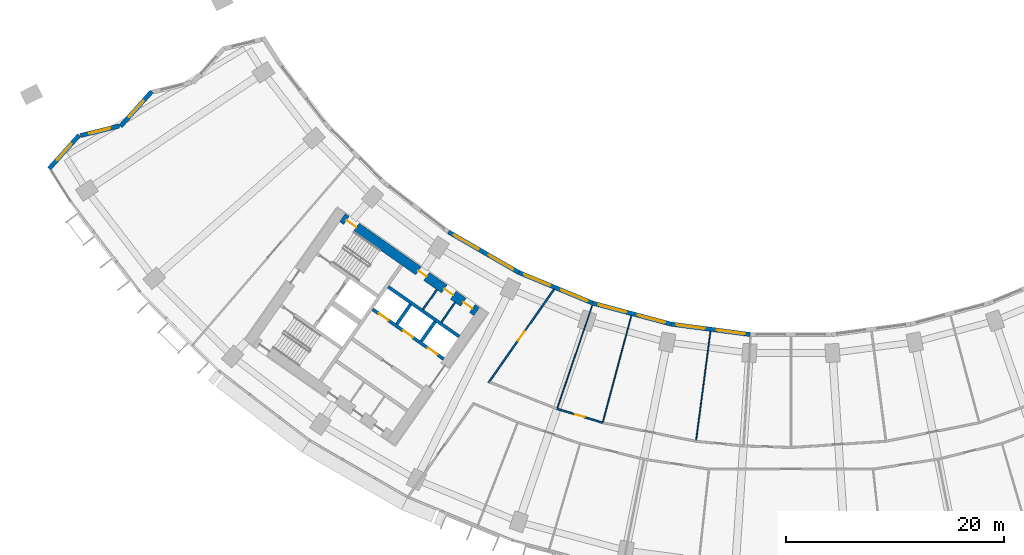
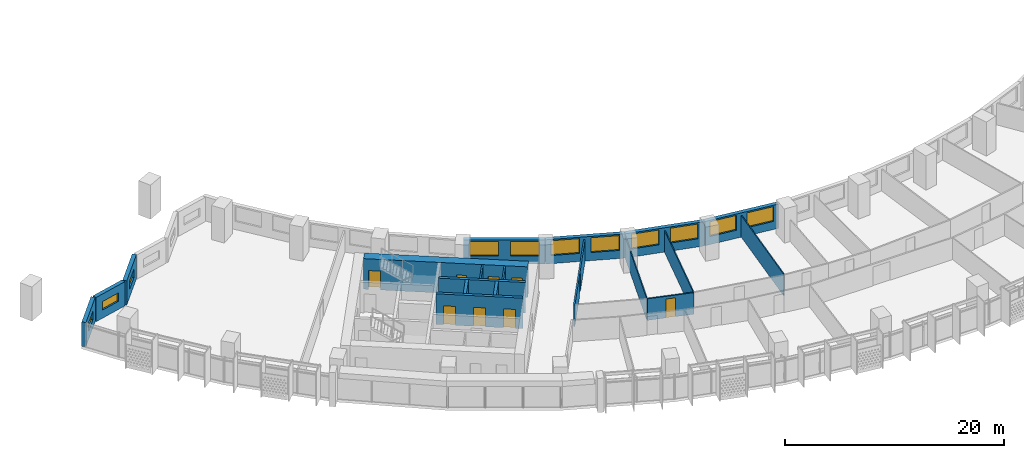
# One storey, part 4 of 31: 19 walls, 11 windows, 9 doors, 20 openings.
"""IFC4 building model written with IfcOpenShell, lengths in metres."""

from ifc_helpers import new_model, si_unit, direction, frame, frame_2d, origin, place, context, subcontext, project, spatial, rectangle, extrude, material, layer, layer_set, type_object, element, fill, save


model = new_model("IFC4")

# Units and contexts
model_context = context("Model", 3, precision=1e-05, world=origin(), true_north=direction((0.0, 1.0)))
body_context = subcontext(model_context, "Body", "Model", "MODEL_VIEW")
ifc_project = project(units=[si_unit("LENGTHUNIT", "METRE"), si_unit("AREAUNIT", "SQUARE_METRE"), si_unit("VOLUMEUNIT", "CUBIC_METRE"), si_unit("PLANEANGLEUNIT", "RADIAN"), si_unit("MASSUNIT", "GRAM", prefix="KILO")], contexts=[model_context])

# Site, building, storey
site_placement = place(None, origin())
site = spatial("IfcSite", under=ifc_project, at=site_placement, CompositionType="ELEMENT")
building_placement = place(site_placement, origin())
building = spatial("IfcBuilding", under=site, at=building_placement, Name="Qamariyya Broadcast Tower", CompositionType="ELEMENT")
storey_placement = place(building_placement, frame((0.0, 0.0, 86.10009765625)))
storey = spatial("IfcBuildingStorey", under=building, at=storey_placement, Name="L18", CompositionType="ELEMENT", Elevation=86.10009765625)

# Wall, openings, doors
ifc_material_1 = material(Name="Concrete C70/85", Category="concrete")
ifc_layer_1 = layer(ifc_material_1, 0.89990234375)
ifc_layer_set_1 = layer_set([ifc_layer_1], Name="Core wall 900 mm Concrete C70/85")
wall_type_1 = type_object("IfcWallType", Name="Core wall 900 mm Concrete C70/85", PredefinedType="SHEAR", material=ifc_layer_set_1)
wall_1_placement = place(storey_placement, frame((-28.8544921875, -54.32421875, 0.0), z_axis=(0.0, 0.0, 1.0), x_axis=(-0.819145767589, 0.573585400304, 0.0)))
wall_1 = element("IfcWall", 1, at=wall_1_placement, inside=storey, type_object=wall_type_1, Name="k-W-L18-WI", PredefinedType="SHEAR", context=body_context, shape_type="SweptSolid", body=[
    extrude(rectangle(XDim=15.04541015625, YDim=0.89990234375, at=frame_2d((7.522705078125, 0.0))), origin(), (0.0, 0.0, 1.0), 3.39990234375),
])
opening_1_placement = place(wall_1_placement, frame((0.5, 0.0, 0.0)))
opening_1 = element("IfcOpeningElement", 2, at=opening_1_placement, cuts=wall_1, Name="Opening KD6-W2", PredefinedType="OPENING", context=body_context, shape_type="SweptSolid", body=[
    extrude(rectangle(XDim=1.0, YDim=2.10009765625, at=frame_2d((0.5, 1.050048828125))), frame((0.0, 0.4599609375, 0.0), z_axis=(0.0, -1.0, 0.0), x_axis=(1.0, 0.0, 0.0)), (0.0, 0.0, 1.0), 0.919921875),
])
opening_2_placement = place(wall_1_placement, frame((2.625, 0.0, 0.0)))
opening_2 = element("IfcOpeningElement", 3, at=opening_2_placement, cuts=wall_1, Name="Opening KD7-W1", PredefinedType="OPENING", context=body_context, shape_type="SweptSolid", body=[
    extrude(rectangle(XDim=1.0, YDim=2.10009765625, at=frame_2d((0.5, 1.050048828125))), frame((0.0, 0.4599609375, 0.0), z_axis=(0.0, -1.0, 0.0), x_axis=(1.0, 0.0, 0.0)), (0.0, 0.0, 1.0), 0.919921875),
])
opening_3_placement = place(wall_1_placement, frame((5.625, 0.0, 0.0)))
opening_3 = element("IfcOpeningElement", 4, at=opening_3_placement, cuts=wall_1, Name="Opening KD5-W1", PredefinedType="OPENING", context=body_context, shape_type="SweptSolid", body=[
    extrude(rectangle(XDim=0.89990234375, YDim=2.10009765625, at=frame_2d((0.449951171875, 1.050048828125))), frame((0.0, 0.4599609375, 0.0), z_axis=(0.0, -1.0, 0.0), x_axis=(1.0, 0.0, 0.0)), (0.0, 0.0, 1.0), 0.919921875),
])
opening_4_placement = place(wall_1_placement, frame((13.495361328125, 0.0, 0.0)))
opening_4 = element("IfcOpeningElement", 5, at=opening_4_placement, cuts=wall_1, Name="Opening KD1-W1", PredefinedType="OPENING", context=body_context, shape_type="SweptSolid", body=[
    extrude(rectangle(XDim=1.10009765625, YDim=2.10009765625, at=frame_2d((0.550048828125, 1.050048828125))), frame((0.0, 0.4599609375, 0.0), z_axis=(0.0, -1.0, 0.0), x_axis=(1.0, 0.0, 0.0)), (0.0, 0.0, 1.0), 0.919921875),
])
ifc_material_2 = material(Name="Steel fire-resisting door leaf", Category="steel")
door_type_1 = type_object("IfcDoorType", Name="Accessible toilet door KD7", OperationType="SINGLE_SWING_LEFT", PredefinedType="DOOR", material=ifc_material_2)
door_1_placement = place(opening_2_placement, origin())
door_1 = element("IfcDoor", 6, at=door_1_placement, inside=storey, type_object=door_type_1, Name="k-W-L18-WI-D7", OperationType="SINGLE_SWING_RIGHT", OverallHeight=2.10009765625, OverallWidth=1.0, PredefinedType="DOOR", context=body_context, shape_type="SweptSolid", body=[
    extrude(rectangle(XDim=1.0, YDim=2.10009765625, at=frame_2d((0.5, 1.050048828125))), frame((0.0, 0.02490234375, 0.0), z_axis=(0.0, -1.0, 0.0), x_axis=(1.0, 0.0, 0.0)), (0.0, 0.0, 1.0), 0.050048828125),
])
fill(opening_2, door_1)
door_type_2 = type_object("IfcDoorType", Name="Core room door KD6", OperationType="SINGLE_SWING_LEFT", PredefinedType="DOOR", material=ifc_material_2)
door_2_placement = place(opening_1_placement, origin())
door_2 = element("IfcDoor", 7, at=door_2_placement, inside=storey, type_object=door_type_2, Name="k-W-L18-WI-D6", OperationType="SINGLE_SWING_LEFT", OverallHeight=2.10009765625, OverallWidth=1.0, PredefinedType="DOOR", context=body_context, shape_type="SweptSolid", body=[
    extrude(rectangle(XDim=1.0, YDim=2.10009765625, at=frame_2d((0.5, 1.050048828125))), frame((0.0, 0.02490234375, 0.0), z_axis=(0.0, -1.0, 0.0), x_axis=(1.0, 0.0, 0.0)), (0.0, 0.0, 1.0), 0.050048828125),
])
fill(opening_1, door_2)
door_type_3 = type_object("IfcDoorType", Name="Stair door KD1", OperationType="SINGLE_SWING_LEFT", PredefinedType="DOOR", material=ifc_material_2)
door_3_placement = place(opening_4_placement, origin())
door_3 = element("IfcDoor", 8, at=door_3_placement, inside=storey, type_object=door_type_3, Name="k-W-L18-WI-D15", OperationType="SINGLE_SWING_RIGHT", OverallHeight=2.10009765625, OverallWidth=1.10009765625, PredefinedType="DOOR", context=body_context, shape_type="SweptSolid", body=[
    extrude(rectangle(XDim=1.10009765625, YDim=2.10009765625, at=frame_2d((0.550048828125, 1.050048828125))), frame((0.0, 0.02490234375, 0.0), z_axis=(0.0, -1.0, 0.0), x_axis=(1.0, 0.0, 0.0)), (0.0, 0.0, 1.0), 0.050048828125),
])
fill(opening_4, door_3)
door_type_4 = type_object("IfcDoorType", Name="Toilet door KD5", OperationType="SINGLE_SWING_LEFT", PredefinedType="DOOR", material=ifc_material_2)
door_4_placement = place(opening_3_placement, origin())
door_4 = element("IfcDoor", 9, at=door_4_placement, inside=storey, type_object=door_type_4, Name="k-W-L18-WI-D8", OperationType="SINGLE_SWING_LEFT", OverallHeight=2.10009765625, OverallWidth=0.89990234375, PredefinedType="DOOR", context=body_context, shape_type="SweptSolid", body=[
    extrude(rectangle(XDim=0.89990234375, YDim=2.10009765625, at=frame_2d((0.449951171875, 1.050048828125))), frame((0.0, 0.02490234375, 0.0), z_axis=(0.0, -1.0, 0.0), x_axis=(1.0, 0.0, 0.0)), (0.0, 0.0, 1.0), 0.050048828125),
])
fill(opening_3, door_4)

# Wall, opening, door
ifc_material_3 = material(Name="Gypsum board partition")
ifc_layer_2 = layer(ifc_material_3, 0.14990234375)
ifc_layer_set_2 = layer_set([ifc_layer_2], Name="Corridor partition 150 EI 60")
wall_type_2 = type_object("IfcWallType", Name="Corridor partition 150 EI 60", PredefinedType="PARTITIONING", material=ifc_layer_set_2)
wall_2_placement = place(storey_placement, frame((-21.748291015625, -52.2763671875, 0.0), z_axis=(0.0, 0.0, 1.0), x_axis=(-0.575419434668, -0.817858468322, 0.0)))
wall_2 = element("IfcWall", 10, at=wall_2_placement, inside=storey, type_object=wall_type_2, Name="Partition L18-008", PredefinedType="PARTITIONING", context=body_context, shape_type="SweptSolid", body=[
    extrude(rectangle(XDim=10.46484375, YDim=0.14990234375, at=frame_2d((5.232421875, 0.0))), origin(), (0.0, 0.0, 1.0), 2.39990234375),
])
opening_5_placement = place(wall_2_placement, frame((4.732421875, 0.0, 0.0)))
opening_5 = element("IfcOpeningElement", 11, at=opening_5_placement, cuts=wall_2, Name="Opening L18-D09", PredefinedType="OPENING", context=body_context, shape_type="SweptSolid", body=[
    extrude(rectangle(XDim=1.0, YDim=2.10009765625, at=frame_2d((0.5, 1.050048828125))), frame((0.0, 0.0849609375, 0.0), z_axis=(0.0, -1.0, 0.0), x_axis=(1.0, 0.0, 0.0)), (0.0, 0.0, 1.0), 0.169921875),
])
ifc_material_4 = material(Name="Timber fire door leaf", Category="wood")
door_type_5 = type_object("IfcDoorType", Name="Fire door 1000 x 2100 FD60", OperationType="NOTDEFINED", PredefinedType="DOOR", material=ifc_material_4)
door_5_placement = place(opening_5_placement, origin())
door_5 = element("IfcDoor", 12, at=door_5_placement, inside=storey, type_object=door_type_5, Name="Door L18-D09", OperationType="SINGLE_SWING_RIGHT", OverallHeight=2.10009765625, OverallWidth=1.0, PredefinedType="DOOR", context=body_context, shape_type="SweptSolid", body=[
    extrude(rectangle(XDim=1.0, YDim=2.10009765625, at=frame_2d((0.5, 1.050048828125))), frame((0.0, 0.02490234375, 0.0), z_axis=(0.0, -1.0, 0.0), x_axis=(1.0, 0.0, 0.0)), (0.0, 0.0, 1.0), 0.050048828125),
])
fill(opening_5, door_5)

wall_3_placement = place(storey_placement, frame((-21.47216796875, -63.2548828125, 0.0), z_axis=(0.0, 0.0, 1.0), x_axis=(0.956933231095, -0.290308097072, 0.0)))
wall_3 = element("IfcWall", 13, at=wall_3_placement, inside=storey, type_object=wall_type_2, Name="Partition L18-009", PredefinedType="PARTITIONING", context=body_context, shape_type="SweptSolid", body=[
    extrude(rectangle(XDim=4.371337890625, YDim=0.14990234375, at=frame_2d((2.185546875, 0.0))), origin(), (0.0, 0.0, 1.0), 2.39990234375),
])
opening_6_placement = place(wall_3_placement, frame((1.735595703125, 0.0, 0.0)))
opening_6 = element("IfcOpeningElement", 14, at=opening_6_placement, cuts=wall_3, Name="Opening L18-D10", PredefinedType="OPENING", context=body_context, shape_type="SweptSolid", body=[
    extrude(rectangle(XDim=0.89990234375, YDim=2.10009765625, at=frame_2d((0.449951171875, 1.050048828125))), frame((0.0, 0.0849609375, 0.0), z_axis=(0.0, -1.0, 0.0), x_axis=(1.0, 0.0, 0.0)), (0.0, 0.0, 1.0), 0.169921875),
])
door_type_6 = type_object("IfcDoorType", Name="Fire door 900 x 2100 FD60", OperationType="NOTDEFINED", PredefinedType="DOOR", material=ifc_material_4)
door_6_placement = place(opening_6_placement, origin())
door_6 = element("IfcDoor", 15, at=door_6_placement, inside=storey, type_object=door_type_6, Name="Door L18-D10", OperationType="SINGLE_SWING_RIGHT", OverallHeight=2.10009765625, OverallWidth=0.89990234375, PredefinedType="DOOR", context=body_context, shape_type="SweptSolid", body=[
    extrude(rectangle(XDim=0.89990234375, YDim=2.10009765625, at=frame_2d((0.449951171875, 1.050048828125))), frame((0.0, 0.02490234375, 0.0), z_axis=(0.0, -1.0, 0.0), x_axis=(1.0, 0.0, 0.0)), (0.0, 0.0, 1.0), 0.050048828125),
])
fill(opening_6, door_6)

# Walls
ifc_material_5 = material(Name="Gypsum board partition on steel studs", Category="steel")
ifc_layer_3 = layer(ifc_material_5, 0.14990234375)
ifc_layer_set_3 = layer_set([ifc_layer_3], Name="Gypsum board partition 150 mm")
wall_type_3 = type_object("IfcWallType", Name="Gypsum board partition 150 mm", PredefinedType="PARTITIONING", material=ifc_layer_set_3)
wall_4_placement = place(storey_placement, frame((-32.0947265625, -55.290283203125, 0.0), z_axis=(0.0, 0.0, 1.0), x_axis=(0.573559170999, 0.819164133348, 0.0)))
element("IfcWall", 16, at=wall_4_placement, inside=storey, type_object=wall_type_3, Name="k-W-L18-NP210", PredefinedType="PARTITIONING", context=body_context, shape_type="SweptSolid", body=[
    extrude(rectangle(XDim=2.19970703125, YDim=0.14990234375, at=frame_2d((1.099853515625, 0.0))), origin(), (0.0, 0.0, 1.0), 3.39990234375),
])
wall_5_placement = place(storey_placement, frame((-33.774169921875, -54.114501953125, 0.0), z_axis=(0.0, 0.0, 1.0), x_axis=(0.573581496053, 0.819148501424, 0.0)))
element("IfcWall", 17, at=wall_5_placement, inside=storey, type_object=wall_type_3, Name="k-W-L18-NP415", PredefinedType="PARTITIONING", context=body_context, shape_type="SweptSolid", body=[
    extrude(rectangle(XDim=2.2001953125, YDim=0.14990234375, at=frame_2d((1.10009765625, 0.0))), origin(), (0.0, 0.0, 1.0), 3.39990234375),
])

# Wall, openings, doors
ifc_material_6 = material(Name="Concrete C60/75", Category="concrete")
ifc_layer_4 = layer(ifc_material_6, 0.300048828125)
ifc_layer_set_4 = layer_set([ifc_layer_4], Name="Lift shaft wall 300 mm Concrete C60/75")
wall_type_4 = type_object("IfcWallType", Name="Lift shaft wall 300 mm Concrete C60/75", PredefinedType="SOLIDWALL", material=ifc_layer_set_4)
wall_6_placement = place(storey_placement, frame((-31.89453125, -58.66552734375, 0.0), z_axis=(0.0, 0.0, 1.0), x_axis=(-0.819166993208, 0.573555086491, 0.0)))
wall_6 = element("IfcWall", 18, at=wall_6_placement, inside=storey, type_object=wall_type_4, Name="k-W-L18-NF0", PredefinedType="SOLIDWALL", context=body_context, shape_type="SweptSolid", body=[
    extrude(rectangle(XDim=7.9501953125, YDim=0.300048828125, at=frame_2d((3.97509765625, 0.0))), origin(), (0.0, 0.0, 1.0), 3.39990234375),
])
opening_7_placement = place(wall_6_placement, frame((0.675048828125, 0.0, 0.0)))
opening_7 = element("IfcOpeningElement", 19, at=opening_7_placement, cuts=wall_6, Name="Opening LD", PredefinedType="OPENING", context=body_context, shape_type="SweptSolid", body=[
    extrude(rectangle(XDim=1.10009765625, YDim=2.10009765625, at=frame_2d((0.550048828125, 1.050048828125))), frame((0.0, 0.159912109375, 0.0), z_axis=(0.0, -1.0, 0.0), x_axis=(1.0, 0.0, 0.0)), (0.0, 0.0, 1.0), 0.320068359375),
])
opening_8_placement = place(wall_6_placement, frame((3.425048828125, 0.0, 0.0)))
opening_8 = element("IfcOpeningElement", 20, at=opening_8_placement, cuts=wall_6, Name="Opening LD", PredefinedType="OPENING", context=body_context, shape_type="SweptSolid", body=[
    extrude(rectangle(XDim=1.10009765625, YDim=2.10009765625, at=frame_2d((0.550048828125, 1.050048828125))), frame((0.0, 0.159912109375, 0.0), z_axis=(0.0, -1.0, 0.0), x_axis=(1.0, 0.0, 0.0)), (0.0, 0.0, 1.0), 0.320068359375),
])
opening_9_placement = place(wall_6_placement, frame((6.175048828125, 0.0, 0.0)))
opening_9 = element("IfcOpeningElement", 21, at=opening_9_placement, cuts=wall_6, Name="Opening LD", PredefinedType="OPENING", context=body_context, shape_type="SweptSolid", body=[
    extrude(rectangle(XDim=1.10009765625, YDim=2.10009765625, at=frame_2d((0.550048828125, 1.050048828125))), frame((0.0, 0.159912109375, 0.0), z_axis=(0.0, -1.0, 0.0), x_axis=(1.0, 0.0, 0.0)), (0.0, 0.0, 1.0), 0.320068359375),
])
door_type_7 = type_object("IfcDoorType", Name="Lift landing door LD", OperationType="DOUBLE_DOOR_SLIDING", PredefinedType="DOOR", material=ifc_material_2)
door_7_placement = place(opening_7_placement, origin())
door_7 = element("IfcDoor", 22, at=door_7_placement, inside=storey, type_object=door_type_7, Name="k-W-L18-NF0-D2", OperationType="DOUBLE_DOOR_SLIDING", OverallHeight=2.10009765625, OverallWidth=1.10009765625, PredefinedType="DOOR", context=body_context, shape_type="SweptSolid", body=[
    extrude(rectangle(XDim=1.10009765625, YDim=2.10009765625, at=frame_2d((0.550048828125, 1.050048828125))), frame((0.0, 0.02490234375, 0.0), z_axis=(0.0, -1.0, 0.0), x_axis=(1.0, 0.0, 0.0)), (0.0, 0.0, 1.0), 0.050048828125),
])
fill(opening_7, door_7)
door_8_placement = place(opening_8_placement, origin())
door_8 = element("IfcDoor", 23, at=door_8_placement, inside=storey, type_object=door_type_7, Name="k-W-L18-NF0-D3", OperationType="DOUBLE_DOOR_SLIDING", OverallHeight=2.10009765625, OverallWidth=1.10009765625, PredefinedType="DOOR", context=body_context, shape_type="SweptSolid", body=[
    extrude(rectangle(XDim=1.10009765625, YDim=2.10009765625, at=frame_2d((0.550048828125, 1.050048828125))), frame((0.0, 0.02490234375, 0.0), z_axis=(0.0, -1.0, 0.0), x_axis=(1.0, 0.0, 0.0)), (0.0, 0.0, 1.0), 0.050048828125),
])
fill(opening_8, door_8)
door_9_placement = place(opening_9_placement, origin())
door_9 = element("IfcDoor", 24, at=door_9_placement, inside=storey, type_object=door_type_7, Name="k-W-L18-NF0-D4", OperationType="DOUBLE_DOOR_SLIDING", OverallHeight=2.10009765625, OverallWidth=1.10009765625, PredefinedType="DOOR", context=body_context, shape_type="SweptSolid", body=[
    extrude(rectangle(XDim=1.10009765625, YDim=2.10009765625, at=frame_2d((0.550048828125, 1.050048828125))), frame((0.0, 0.02490234375, 0.0), z_axis=(0.0, -1.0, 0.0), x_axis=(1.0, 0.0, 0.0)), (0.0, 0.0, 1.0), 0.050048828125),
])
fill(opening_9, door_9)

# Walls
wall_7_placement = place(storey_placement, frame((-30.460693359375, -56.61767578125, 0.0), z_axis=(0.0, 0.0, 1.0), x_axis=(-0.819142461705, 0.573590121456, 0.0)))
element("IfcWall", 25, at=wall_7_placement, inside=storey, type_object=wall_type_4, Name="k-W-L18-NB0", PredefinedType="SOLIDWALL", context=body_context, shape_type="SweptSolid", body=[
    extrude(rectangle(XDim=7.949951171875, YDim=0.300048828125, at=frame_2d((3.97509765625, 0.0))), origin(), (0.0, 0.0, 1.0), 3.39990234375),
])
wall_8_placement = place(storey_placement, frame((-33.9384765625, -57.051513671875, 0.0), z_axis=(0.0, 0.0, 1.0), x_axis=(0.573581496053, 0.819148501424, 0.0)))
element("IfcWall", 26, at=wall_8_placement, inside=storey, type_object=wall_type_4, Name="k-W-L18-ND0", PredefinedType="SOLIDWALL", context=body_context, shape_type="SweptSolid", body=[
    extrude(rectangle(XDim=2.2001953125, YDim=0.300048828125, at=frame_2d((1.10009765625, 0.0))), origin(), (0.0, 0.0, 1.0), 3.39990234375),
])
wall_9_placement = place(storey_placement, frame((-36.19091796875, -55.47412109375, 0.0), z_axis=(0.0, 0.0, 1.0), x_axis=(0.573507030513, 0.819200638399, 0.0)))
element("IfcWall", 27, at=wall_9_placement, inside=storey, type_object=wall_type_4, Name="k-W-L18-ND1", PredefinedType="SOLIDWALL", context=body_context, shape_type="SweptSolid", body=[
    extrude(rectangle(XDim=2.199951171875, YDim=0.300048828125, at=frame_2d((1.10009765625, 0.0))), origin(), (0.0, 0.0, 1.0), 3.39990234375),
])
ifc_layer_5 = layer(ifc_material_3, 0.10009765625)
ifc_layer_set_5 = layer_set([ifc_layer_5], Name="Partition 100")
wall_type_5 = type_object("IfcWallType", Name="Partition 100", PredefinedType="PARTITIONING", material=ifc_layer_set_5)
wall_10_placement = place(storey_placement, frame((-18.24169921875, -53.73828125, 0.0), z_axis=(0.0, 0.0, 1.0), x_axis=(-0.321436265026, -0.946931215837, 0.0)))
element("IfcWall", 28, at=wall_10_placement, inside=storey, type_object=wall_type_5, Name="Partition L18-011", PredefinedType="PARTITIONING", context=body_context, shape_type="SweptSolid", body=[
    extrude(rectangle(XDim=9.974853515625, YDim=0.10009765625, at=frame_2d((4.9873046875, 0.0))), origin(), (0.0, 0.0, 1.0), 2.39990234375),
])
for number, where, z_axis, x_axis, name in (
    (29, (-14.65673828125, -54.69970703125, 0.0), (0.0, 0.0, 1.0), (-0.258825935876, -0.965923979885, 0.0), "Partition L18-014"),
    (30, (-7.3916015625, -56.144775390625, 0.0), (0.0, 0.0, 1.0), (-0.130538336764, -0.991443262439, 0.0), "Partition L18-019"),
):
    element("IfcWall", number, at=place(storey_placement, frame(where, z_axis=z_axis, x_axis=x_axis)), inside=storey, type_object=wall_type_5, Name=name, PredefinedType="PARTITIONING", context=body_context, shape_type="SweptSolid", body=[
        extrude(rectangle(XDim=10.095703125, YDim=0.10009765625, at=frame_2d((5.0478515625, 0.0))), origin(), (0.0, 0.0, 1.0), 2.39990234375),
    ])

# Wall, opening, window
ifc_material_7 = material(Name="Terracotta", Category="masonry")
ifc_layer_6 = layer(ifc_material_7, 0.39990234375)
ifc_layer_set_6 = layer_set([ifc_layer_6], Name="Terracotta clad wall 400")
wall_type_6 = type_object("IfcWallType", Name="Terracotta clad wall 400", PredefinedType="SOLIDWALL", material=ifc_layer_set_6)
wall_11_placement = place(storey_placement, frame((-58.6953125, -34.120361328125, 0.0), z_axis=(0.0, 0.0, 1.0), x_axis=(-0.667062355114, -0.74500188885, 0.0)))
wall_11 = element("IfcWall", 31, at=wall_11_placement, inside=storey, type_object=wall_type_6, Name="e-wl-L18-capW3", PredefinedType="SOLIDWALL", context=body_context, shape_type="SweptSolid", body=[
    extrude(rectangle(XDim=4.294677734375, YDim=0.39990234375, at=frame_2d((2.1474609375, 0.0))), origin(), (0.0, 0.0, 1.0), 2.699951171875),
])
opening_10_placement = place(wall_11_placement, frame((1.147216796875, 0.0, 0.89990234375)))
opening_10 = element("IfcOpeningElement", 32, at=opening_10_placement, cuts=wall_11, Name="Opening W4", PredefinedType="OPENING", context=body_context, shape_type="SweptSolid", body=[
    extrude(rectangle(XDim=2.0, YDim=0.949951171875, at=frame_2d((1.0, 0.47509765625))), frame((0.0, 0.2099609375, 0.0), z_axis=(0.0, -1.0, 0.0), x_axis=(1.0, 0.0, 0.0)), (0.0, 0.0, 1.0), 0.419921875),
])
ifc_material_8 = material(Name="Clear low-e double glazed unit in aluminium frame", Category="aluminium")
window_type_1 = type_object("IfcWindowType", Name="Horn bay window 2000 x 950", PartitioningType="SINGLE_PANEL", PredefinedType="WINDOW", material=ifc_material_8)
window_1_placement = place(opening_10_placement, origin())
window_1 = element("IfcWindow", 33, at=window_1_placement, inside=storey, type_object=window_type_1, Name="e-w-L18-capW3", OverallHeight=0.949951171875, OverallWidth=2.0, PartitioningType="SINGLE_PANEL", PredefinedType="WINDOW", context=body_context, shape_type="SweptSolid", body=[
    extrude(rectangle(XDim=2.0, YDim=0.949951171875, at=frame_2d((1.0, 0.47509765625))), frame((0.0, 0.030029296875, 0.0), z_axis=(0.0, -1.0, 0.0), x_axis=(1.0, 0.0, 0.0)), (0.0, 0.0, 1.0), 0.06005859375),
])
fill(opening_10, window_1)

wall_12_placement = place(storey_placement, frame((-61.68408203125, -37.28662109375, 0.0), z_axis=(0.0, 0.0, 1.0), x_axis=(-0.971052614282, -0.2388656951, 0.0)))
wall_12 = element("IfcWall", 34, at=wall_12_placement, inside=storey, type_object=wall_type_6, Name="e-wl-L18-capW4", PredefinedType="SOLIDWALL", context=body_context, shape_type="SweptSolid", body=[
    extrude(rectangle(XDim=3.64892578125, YDim=0.39990234375, at=frame_2d((1.824462890625, 0.0))), origin(), (0.0, 0.0, 1.0), 2.699951171875),
])
opening_11_placement = place(wall_12_placement, frame((0.824462890625, 0.0, 0.89990234375)))
opening_11 = element("IfcOpeningElement", 35, at=opening_11_placement, cuts=wall_12, Name="Opening W4", PredefinedType="OPENING", context=body_context, shape_type="SweptSolid", body=[
    extrude(rectangle(XDim=2.0, YDim=0.949951171875, at=frame_2d((1.0, 0.47509765625))), frame((0.0, 0.2099609375, 0.0), z_axis=(0.0, -1.0, 0.0), x_axis=(1.0, 0.0, 0.0)), (0.0, 0.0, 1.0), 0.419921875),
])
window_2_placement = place(opening_11_placement, origin())
window_2 = element("IfcWindow", 36, at=window_2_placement, inside=storey, type_object=window_type_1, Name="e-w-L18-capW4", OverallHeight=0.949951171875, OverallWidth=2.0, PartitioningType="SINGLE_PANEL", PredefinedType="WINDOW", context=body_context, shape_type="SweptSolid", body=[
    extrude(rectangle(XDim=2.0, YDim=0.949951171875, at=frame_2d((1.0, 0.47509765625))), frame((0.0, 0.030029296875, 0.0), z_axis=(0.0, -1.0, 0.0), x_axis=(1.0, 0.0, 0.0)), (0.0, 0.0, 1.0), 0.06005859375),
])
fill(opening_11, window_2)

wall_13_placement = place(storey_placement, frame((-65.351318359375, -38.125, 0.0), z_axis=(0.0, 0.0, 1.0), x_axis=(-0.667025108107, -0.745035237525, 0.0)))
wall_13 = element("IfcWall", 37, at=wall_13_placement, inside=storey, type_object=wall_type_6, Name="e-wl-L18-capW5", PredefinedType="SOLIDWALL", context=body_context, shape_type="SweptSolid", body=[
    extrude(rectangle(XDim=4.12158203125, YDim=0.39990234375, at=frame_2d((2.060791015625, 0.0))), origin(), (0.0, 0.0, 1.0), 2.699951171875),
])
opening_12_placement = place(wall_13_placement, frame((1.060791015625, 0.0, 0.89990234375)))
opening_12 = element("IfcOpeningElement", 38, at=opening_12_placement, cuts=wall_13, Name="Opening W4", PredefinedType="OPENING", context=body_context, shape_type="SweptSolid", body=[
    extrude(rectangle(XDim=2.0, YDim=0.949951171875, at=frame_2d((1.0, 0.47509765625))), frame((0.0, 0.2099609375, 0.0), z_axis=(0.0, -1.0, 0.0), x_axis=(1.0, 0.0, 0.0)), (0.0, 0.0, 1.0), 0.419921875),
])
window_3_placement = place(opening_12_placement, origin())
window_3 = element("IfcWindow", 39, at=window_3_placement, inside=storey, type_object=window_type_1, Name="e-w-L18-capW5", OverallHeight=0.949951171875, OverallWidth=2.0, PartitioningType="SINGLE_PANEL", PredefinedType="WINDOW", context=body_context, shape_type="SweptSolid", body=[
    extrude(rectangle(XDim=2.0, YDim=0.949951171875, at=frame_2d((1.0, 0.47509765625))), frame((0.0, 0.030029296875, 0.0), z_axis=(0.0, -1.0, 0.0), x_axis=(1.0, 0.0, 0.0)), (0.0, 0.0, 1.0), 0.06005859375),
])
fill(opening_12, window_3)

# Wall, openings, windows
wall_14_placement = place(storey_placement, frame((-24.989990234375, -50.73095703125, 0.0), z_axis=(0.0, 0.0, 1.0), x_axis=(-0.866037641005, 0.499978803913, 0.0)))
wall_14 = element("IfcWall", 40, at=wall_14_placement, inside=storey, type_object=wall_type_6, Name="e-wl-L18-in40", PredefinedType="SOLIDWALL", context=body_context, shape_type="SweptSolid", body=[
    extrude(rectangle(XDim=7.447021484375, YDim=0.39990234375, at=frame_2d((3.7236328125, 0.0))), origin(), (0.0, 0.0, 1.0), 2.699951171875),
])
opening_13_placement = place(wall_14_placement, frame((4.266357421875, 0.0, 0.89990234375)))
opening_13 = element("IfcOpeningElement", 41, at=opening_13_placement, cuts=wall_14, Name="Opening W1", PredefinedType="OPENING", context=body_context, shape_type="SweptSolid", body=[
    extrude(rectangle(XDim=2.60009765625, YDim=1.64990234375, at=frame_2d((1.300048828125, 0.824951171875))), frame((0.0, 0.2099609375, 0.0), z_axis=(0.0, -1.0, 0.0), x_axis=(1.0, 0.0, 0.0)), (0.0, 0.0, 1.0), 0.419921875),
])
opening_14_placement = place(wall_14_placement, frame((0.580810546875, 0.0, 0.89990234375)))
opening_14 = element("IfcOpeningElement", 42, at=opening_14_placement, cuts=wall_14, Name="Opening W1", PredefinedType="OPENING", context=body_context, shape_type="SweptSolid", body=[
    extrude(rectangle(XDim=2.60009765625, YDim=1.64990234375, at=frame_2d((1.300048828125, 0.824951171875))), frame((0.0, 0.2099609375, 0.0), z_axis=(0.0, -1.0, 0.0), x_axis=(1.0, 0.0, 0.0)), (0.0, 0.0, 1.0), 0.419921875),
])
window_type_2 = type_object("IfcWindowType", Name="Ribbon window 2600 x 1650", PartitioningType="SINGLE_PANEL", PredefinedType="WINDOW", material=ifc_material_8)
window_4_placement = place(opening_13_placement, origin())
window_4 = element("IfcWindow", 43, at=window_4_placement, inside=storey, type_object=window_type_2, Name="e-w-L18-in04-0", OverallHeight=1.64990234375, OverallWidth=2.60009765625, PartitioningType="SINGLE_PANEL", PredefinedType="WINDOW", context=body_context, shape_type="SweptSolid", body=[
    extrude(rectangle(XDim=2.60009765625, YDim=1.64990234375, at=frame_2d((1.300048828125, 0.824951171875))), frame((0.0, 0.030029296875, 0.0), z_axis=(0.0, -1.0, 0.0), x_axis=(1.0, 0.0, 0.0)), (0.0, 0.0, 1.0), 0.06005859375),
])
fill(opening_13, window_4)
window_5_placement = place(opening_14_placement, origin())
window_5 = element("IfcWindow", 44, at=window_5_placement, inside=storey, type_object=window_type_2, Name="e-w-L18-in04-1", OverallHeight=1.64990234375, OverallWidth=2.60009765625, PartitioningType="SINGLE_PANEL", PredefinedType="WINDOW", context=body_context, shape_type="SweptSolid", body=[
    extrude(rectangle(XDim=2.60009765625, YDim=1.64990234375, at=frame_2d((1.300048828125, 0.824951171875))), frame((0.0, 0.030029296875, 0.0), z_axis=(0.0, -1.0, 0.0), x_axis=(1.0, 0.0, 0.0)), (0.0, 0.0, 1.0), 0.06005859375),
])
fill(opening_14, window_5)

wall_15_placement = place(storey_placement, frame((-18.224365234375, -53.52978515625, 0.0), z_axis=(0.0, 0.0, 1.0), x_axis=(-0.923891626322, 0.382654234018, 0.0)))
wall_15 = element("IfcWall", 45, at=wall_15_placement, inside=storey, type_object=wall_type_6, Name="e-wl-L18-in50", PredefinedType="SOLIDWALL", context=body_context, shape_type="SweptSolid", body=[
    extrude(rectangle(XDim=7.295654296875, YDim=0.39990234375, at=frame_2d((3.64794921875, 0.0))), origin(), (0.0, 0.0, 1.0), 2.699951171875),
])
opening_15_placement = place(wall_15_placement, frame((4.190673828125, 0.0, 0.89990234375)))
opening_15 = element("IfcOpeningElement", 46, at=opening_15_placement, cuts=wall_15, Name="Opening W1", PredefinedType="OPENING", context=body_context, shape_type="SweptSolid", body=[
    extrude(rectangle(XDim=2.60009765625, YDim=1.64990234375, at=frame_2d((1.300048828125, 0.824951171875))), frame((0.0, 0.2099609375, 0.0), z_axis=(0.0, -1.0, 0.0), x_axis=(1.0, 0.0, 0.0)), (0.0, 0.0, 1.0), 0.419921875),
])
opening_16_placement = place(wall_15_placement, frame((0.505126953125, 0.0, 0.89990234375)))
opening_16 = element("IfcOpeningElement", 47, at=opening_16_placement, cuts=wall_15, Name="Opening W1", PredefinedType="OPENING", context=body_context, shape_type="SweptSolid", body=[
    extrude(rectangle(XDim=2.60009765625, YDim=1.64990234375, at=frame_2d((1.300048828125, 0.824951171875))), frame((0.0, 0.2099609375, 0.0), z_axis=(0.0, -1.0, 0.0), x_axis=(1.0, 0.0, 0.0)), (0.0, 0.0, 1.0), 0.419921875),
])
window_6_placement = place(opening_15_placement, origin())
window_6 = element("IfcWindow", 48, at=window_6_placement, inside=storey, type_object=window_type_2, Name="e-w-L18-in05-0", OverallHeight=1.64990234375, OverallWidth=2.60009765625, PartitioningType="SINGLE_PANEL", PredefinedType="WINDOW", context=body_context, shape_type="SweptSolid", body=[
    extrude(rectangle(XDim=2.60009765625, YDim=1.64990234375, at=frame_2d((1.300048828125, 0.824951171875))), frame((0.0, 0.030029296875, 0.0), z_axis=(0.0, -1.0, 0.0), x_axis=(1.0, 0.0, 0.0)), (0.0, 0.0, 1.0), 0.06005859375),
])
fill(opening_15, window_6)
window_7_placement = place(opening_16_placement, origin())
window_7 = element("IfcWindow", 49, at=window_7_placement, inside=storey, type_object=window_type_2, Name="e-w-L18-in05-1", OverallHeight=1.64990234375, OverallWidth=2.60009765625, PartitioningType="SINGLE_PANEL", PredefinedType="WINDOW", context=body_context, shape_type="SweptSolid", body=[
    extrude(rectangle(XDim=2.60009765625, YDim=1.64990234375, at=frame_2d((1.300048828125, 0.824951171875))), frame((0.0, 0.030029296875, 0.0), z_axis=(0.0, -1.0, 0.0), x_axis=(1.0, 0.0, 0.0)), (0.0, 0.0, 1.0), 0.06005859375),
])
fill(opening_16, window_7)

wall_16_placement = place(storey_placement, frame((-11.00830078125, -55.47021484375, 0.0), z_axis=(0.0, 0.0, 1.0), x_axis=(-0.965924637935, 0.25882348006, 0.0)))
wall_16 = element("IfcWall", 50, at=wall_16_placement, inside=storey, type_object=wall_type_6, Name="e-wl-L18-in60", PredefinedType="SOLIDWALL", context=body_context, shape_type="SweptSolid", body=[
    extrude(rectangle(XDim=7.447021484375, YDim=0.39990234375, at=frame_2d((3.7236328125, 0.0))), origin(), (0.0, 0.0, 1.0), 2.699951171875),
])
opening_17_placement = place(wall_16_placement, frame((4.266357421875, 0.0, 0.89990234375)))
opening_17 = element("IfcOpeningElement", 51, at=opening_17_placement, cuts=wall_16, Name="Opening W1", PredefinedType="OPENING", context=body_context, shape_type="SweptSolid", body=[
    extrude(rectangle(XDim=2.60009765625, YDim=1.64990234375, at=frame_2d((1.300048828125, 0.824951171875))), frame((0.0, 0.2099609375, 0.0), z_axis=(0.0, -1.0, 0.0), x_axis=(1.0, 0.0, 0.0)), (0.0, 0.0, 1.0), 0.419921875),
])
opening_18_placement = place(wall_16_placement, frame((0.580810546875, 0.0, 0.89990234375)))
opening_18 = element("IfcOpeningElement", 52, at=opening_18_placement, cuts=wall_16, Name="Opening W1", PredefinedType="OPENING", context=body_context, shape_type="SweptSolid", body=[
    extrude(rectangle(XDim=2.60009765625, YDim=1.64990234375, at=frame_2d((1.300048828125, 0.824951171875))), frame((0.0, 0.2099609375, 0.0), z_axis=(0.0, -1.0, 0.0), x_axis=(1.0, 0.0, 0.0)), (0.0, 0.0, 1.0), 0.419921875),
])
window_8_placement = place(opening_17_placement, origin())
window_8 = element("IfcWindow", 53, at=window_8_placement, inside=storey, type_object=window_type_2, Name="e-w-L18-in06-0", OverallHeight=1.64990234375, OverallWidth=2.60009765625, PartitioningType="SINGLE_PANEL", PredefinedType="WINDOW", context=body_context, shape_type="SweptSolid", body=[
    extrude(rectangle(XDim=2.60009765625, YDim=1.64990234375, at=frame_2d((1.300048828125, 0.824951171875))), frame((0.0, 0.030029296875, 0.0), z_axis=(0.0, -1.0, 0.0), x_axis=(1.0, 0.0, 0.0)), (0.0, 0.0, 1.0), 0.06005859375),
])
fill(opening_17, window_8)
window_9_placement = place(opening_18_placement, origin())
window_9 = element("IfcWindow", 54, at=window_9_placement, inside=storey, type_object=window_type_2, Name="e-w-L18-in06-1", OverallHeight=1.64990234375, OverallWidth=2.60009765625, PartitioningType="SINGLE_PANEL", PredefinedType="WINDOW", context=body_context, shape_type="SweptSolid", body=[
    extrude(rectangle(XDim=2.60009765625, YDim=1.64990234375, at=frame_2d((1.300048828125, 0.824951171875))), frame((0.0, 0.030029296875, 0.0), z_axis=(0.0, -1.0, 0.0), x_axis=(1.0, 0.0, 0.0)), (0.0, 0.0, 1.0), 0.06005859375),
])
fill(opening_18, window_9)

wall_17_placement = place(storey_placement, frame((-3.748779296875, -56.422607421875, 0.0), z_axis=(0.0, 0.0, 1.0), x_axis=(-0.99144746031, 0.130506449818, 0.0)))
wall_17 = element("IfcWall", 55, at=wall_17_placement, inside=storey, type_object=wall_type_6, Name="e-wl-L18-in70", PredefinedType="SOLIDWALL", context=body_context, shape_type="SweptSolid", body=[
    extrude(rectangle(XDim=7.2958984375, YDim=0.39990234375, at=frame_2d((3.64794921875, 0.0))), origin(), (0.0, 0.0, 1.0), 2.699951171875),
])
opening_19_placement = place(wall_17_placement, frame((4.190673828125, 0.0, 0.89990234375)))
opening_19 = element("IfcOpeningElement", 56, at=opening_19_placement, cuts=wall_17, Name="Opening W1", PredefinedType="OPENING", context=body_context, shape_type="SweptSolid", body=[
    extrude(rectangle(XDim=2.60009765625, YDim=1.64990234375, at=frame_2d((1.300048828125, 0.824951171875))), frame((0.0, 0.2099609375, 0.0), z_axis=(0.0, -1.0, 0.0), x_axis=(1.0, 0.0, 0.0)), (0.0, 0.0, 1.0), 0.419921875),
])
opening_20_placement = place(wall_17_placement, frame((0.505126953125, 0.0, 0.89990234375)))
opening_20 = element("IfcOpeningElement", 57, at=opening_20_placement, cuts=wall_17, Name="Opening W1", PredefinedType="OPENING", context=body_context, shape_type="SweptSolid", body=[
    extrude(rectangle(XDim=2.60009765625, YDim=1.64990234375, at=frame_2d((1.300048828125, 0.824951171875))), frame((0.0, 0.2099609375, 0.0), z_axis=(0.0, -1.0, 0.0), x_axis=(1.0, 0.0, 0.0)), (0.0, 0.0, 1.0), 0.419921875),
])
window_10_placement = place(opening_19_placement, origin())
window_10 = element("IfcWindow", 58, at=window_10_placement, inside=storey, type_object=window_type_2, Name="e-w-L18-in07-0", OverallHeight=1.64990234375, OverallWidth=2.60009765625, PartitioningType="SINGLE_PANEL", PredefinedType="WINDOW", context=body_context, shape_type="SweptSolid", body=[
    extrude(rectangle(XDim=2.60009765625, YDim=1.64990234375, at=frame_2d((1.300048828125, 0.824951171875))), frame((0.0, 0.030029296875, 0.0), z_axis=(0.0, -1.0, 0.0), x_axis=(1.0, 0.0, 0.0)), (0.0, 0.0, 1.0), 0.06005859375),
])
fill(opening_19, window_10)
window_11_placement = place(opening_20_placement, origin())
window_11 = element("IfcWindow", 59, at=window_11_placement, inside=storey, type_object=window_type_2, Name="e-w-L18-in07-1", OverallHeight=1.64990234375, OverallWidth=2.60009765625, PartitioningType="SINGLE_PANEL", PredefinedType="WINDOW", context=body_context, shape_type="SweptSolid", body=[
    extrude(rectangle(XDim=2.60009765625, YDim=1.64990234375, at=frame_2d((1.300048828125, 0.824951171875))), frame((0.0, 0.030029296875, 0.0), z_axis=(0.0, -1.0, 0.0), x_axis=(1.0, 0.0, 0.0)), (0.0, 0.0, 1.0), 0.06005859375),
])
fill(opening_20, window_11)

save(model, "model.ifc")
